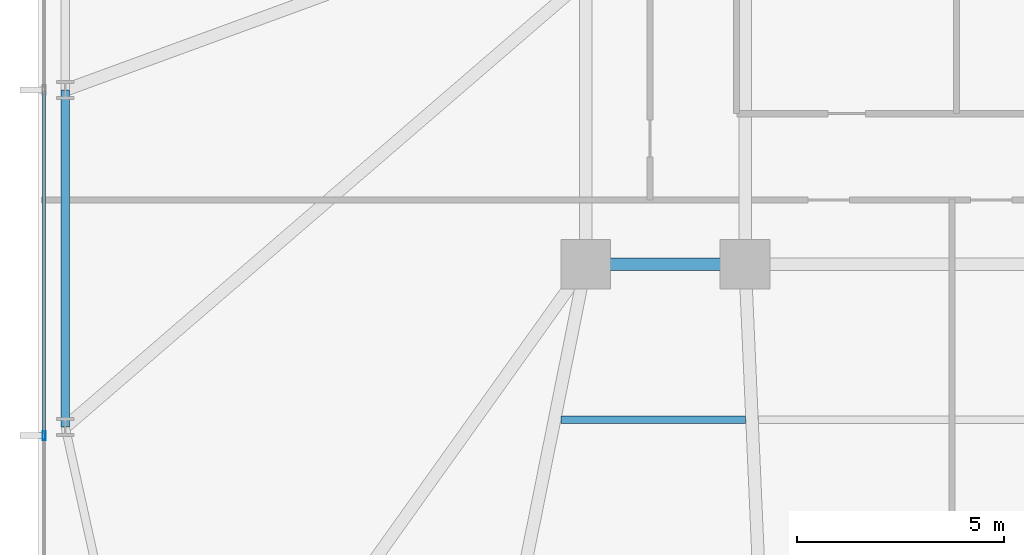
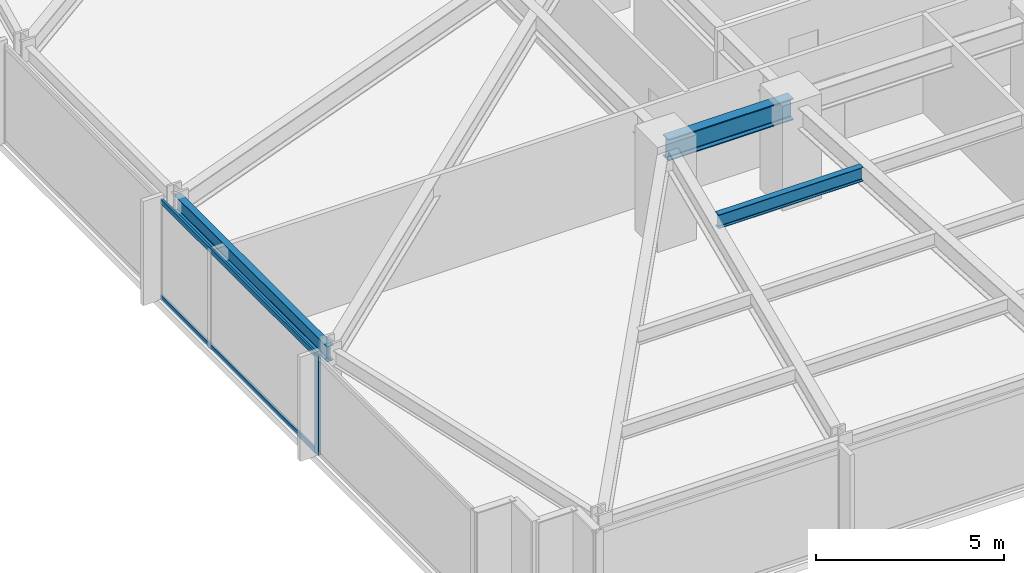
# One storey, part 4 of 32: 3 beams, 3 members, 1 element without a shape of its own.
"""IFC4 building model written with IfcOpenShell, lengths in metres."""

from ifc_helpers import new_model, si_unit, direction, frame, origin, origin_2d, place, context, subcontext, project, spatial, hollow_rectangle, i_section, extrude, material, material_profile, profile_set, type_object, element, aggregate, save


model = new_model("IFC4")

# Units and contexts
model_context = context("Model", 3, precision=1e-05, world=origin(), true_north=direction((0.0, 1.0)))
body_context = subcontext(model_context, "Body", "Model", "MODEL_VIEW")
ifc_project = project(units=[si_unit("LENGTHUNIT", "METRE"), si_unit("AREAUNIT", "SQUARE_METRE"), si_unit("VOLUMEUNIT", "CUBIC_METRE"), si_unit("PLANEANGLEUNIT", "RADIAN"), si_unit("MASSUNIT", "GRAM", prefix="KILO")], contexts=[model_context])

# Site, building, storey
site_placement = place(None, origin())
site = spatial("IfcSite", under=ifc_project, at=site_placement, CompositionType="ELEMENT")
building_placement = place(site_placement, origin())
building = spatial("IfcBuilding", under=site, at=building_placement, Name="Yelkora Congress Tower", CompositionType="ELEMENT")
storey_placement = place(building_placement, frame((0.0, 0.0, 57.60009765625)))
storey = spatial("IfcBuildingStorey", under=building, at=storey_placement, Name="L14", CompositionType="ELEMENT", Elevation=57.60009765625)

# Beams
ifc_material_1 = material(Name="Steel S355J2", Category="steel")
ifc_material_profile_1 = material_profile(ifc_material_1, i_section(OverallWidth=0.300048828125, OverallDepth=0.699951171875, WebThickness=0.01708984375, FlangeThickness=0.031982421875, FilletRadius=0.027099609375, at=origin_2d()), Name="HEB 700")
ifc_profile_set_1 = profile_set([ifc_material_profile_1], Name="Steel S355J2")
beam_type_1 = type_object("IfcBeamType", Name="BM-GIRD-HEB700", PredefinedType="BEAM", material=ifc_profile_set_1)
beam_1_placement = place(storey_placement, frame((19.199951171875, 25.199951171875, 2.829833984375), z_axis=(1.0, 0.0, 0.0), x_axis=(0.0, 1.0, 0.0)))
element("IfcBeam", 1, at=beam_1_placement, inside=storey, type_object=beam_type_1, Name="L14 Spine Grid D Girder 1", PredefinedType="BEAM", context=body_context, shape_type="SweptSolid", body=[
    extrude(i_section(OverallWidth=0.300048828125, OverallDepth=0.699951171875, WebThickness=0.01708984375, FlangeThickness=0.031982421875, FilletRadius=0.027099609375, at=origin_2d()), origin(), (0.0, 0.0, 1.0), 3.840087890625),
])
ifc_material_profile_2 = material_profile(ifc_material_1, i_section(OverallWidth=0.18994140625, OverallDepth=0.449951171875, WebThickness=0.009521484375, FlangeThickness=0.0146484375, FilletRadius=0.02099609375, at=origin_2d()), Name="IPE 450")
ifc_profile_set_2 = profile_set([ifc_material_profile_2], Name="Steel S355J2")
beam_type_2 = type_object("IfcBeamType", Name="BM-JOIST-IPE450", PredefinedType="JOIST", material=ifc_profile_set_2)
beam_2_placement = place(storey_placement, frame((18.60546875, 21.449951171875, 2.954833984375), z_axis=(1.0, 0.0, 0.0), x_axis=(0.0, 1.0, 0.0)))
element("IfcBeam", 2, at=beam_2_placement, inside=storey, type_object=beam_type_2, Name="L14 Composite Floor Joist 17", PredefinedType="JOIST", context=body_context, shape_type="SweptSolid", body=[
    extrude(i_section(OverallWidth=0.18994140625, OverallDepth=0.449951171875, WebThickness=0.009521484375, FlangeThickness=0.0146484375, FilletRadius=0.02099609375, at=origin_2d()), origin(), (0.0, 0.0, 1.0), 4.4404296875),
])
ifc_material_profile_3 = material_profile(ifc_material_1, i_section(OverallWidth=0.199951171875, OverallDepth=0.5, WebThickness=0.01025390625, FlangeThickness=0.01611328125, FilletRadius=0.02099609375, at=origin_2d()), Name="IPE 500")
ifc_profile_set_3 = profile_set([ifc_material_profile_3], Name="Steel S355J2")
beam_type_3 = type_object("IfcBeamType", Name="BM-SPAN-IPE500", PredefinedType="SPANDREL", material=ifc_profile_set_3)
beam_3_placement = place(storey_placement, frame((6.64990234375, 29.39990234375, 2.929931640625), z_axis=(0.0, -1.0, 0.0), x_axis=(1.0, 0.0, 0.0)))
element("IfcBeam", 3, at=beam_3_placement, inside=storey, type_object=beam_type_3, Name="L14 Perimeter Beam 19", PredefinedType="SPANDREL", context=body_context, shape_type="SweptSolid", body=[
    extrude(i_section(OverallWidth=0.199951171875, OverallDepth=0.5, WebThickness=0.01025390625, FlangeThickness=0.01611328125, FilletRadius=0.02099609375, at=origin_2d()), origin(), (0.0, 0.0, 1.0), 8.125),
])

# Curtain wall, members
ifc_material_2 = material(Name="Anodised aluminium and insulated glass", Category="aluminium")
curtain_wall_type = type_object("IfcCurtainWallType", Name="CW-SYS-B1", PredefinedType="NOTDEFINED", material=ifc_material_2)
curtain_wall_placement = place(storey_placement, origin())
curtain_wall = element("IfcCurtainWall", 4, at=curtain_wall_placement, inside=storey, type_object=curtain_wall_type, Name="L14 Unitised Curtain Wall 5", PredefinedType="NOTDEFINED")
ifc_material_3 = material(Name="Anodised aluminium 6063-T6", Category="aluminium")
ifc_material_profile_4 = material_profile(ifc_material_3, hollow_rectangle(XDim=0.074951171875, YDim=0.219970703125, WallThickness=0.0048828125, at=origin_2d()), Name="ALU 75x220x5")
ifc_profile_set_4 = profile_set([ifc_material_profile_4], Name="Anodised aluminium 6063-T6")
member_type_1 = type_object("IfcMemberType", Name="MEM-ML-B1", PredefinedType="MULLION", material=ifc_profile_set_4)
member_1_placement = place(storey_placement, frame((6.139892578125, 21.070068359375, 0.0), z_axis=(0.0, 0.0, 1.0), x_axis=(-1.0, 0.0, 0.0)))
member_1 = element("IfcMember", 5, at=member_1_placement, type_object=member_type_1, Name="CW-B1 mullion 2", PredefinedType="MULLION", context=body_context, shape_type="SweptSolid", body=[
    extrude(hollow_rectangle(XDim=0.074951171875, YDim=0.219970703125, WallThickness=0.0048828125, at=origin_2d()), origin(), (0.0, 0.0, 1.0), 3.179931640625),
])
ifc_material_profile_5 = material_profile(ifc_material_3, hollow_rectangle(XDim=0.06494140625, YDim=0.159912109375, WallThickness=0.00390625, at=origin_2d()), Name="ALU 65x160x4")
ifc_profile_set_5 = profile_set([ifc_material_profile_5], Name="Anodised aluminium 6063-T6")
member_type_2 = type_object("IfcMemberType", Name="MEM-TR-B1", PredefinedType="USERDEFINED", material=ifc_profile_set_5)
member_2_placement = place(storey_placement, frame((6.139892578125, 21.107421875, 0.032470703125), z_axis=(0.0, 1.0, 0.0), x_axis=(-1.0, 0.0, 0.0)))
member_2 = element("IfcMember", 6, at=member_2_placement, type_object=member_type_2, Name="CW-B1 transom 2.1", ObjectType="TRANSOM", PredefinedType="USERDEFINED", context=body_context, shape_type="SweptSolid", body=[
    extrude(hollow_rectangle(XDim=0.06494140625, YDim=0.159912109375, WallThickness=0.00390625, at=origin_2d()), origin(), (0.0, 0.0, 1.0), 8.255126953125),
])
member_3_placement = place(storey_placement, frame((6.139892578125, 21.107421875, 3.1474609375), z_axis=(0.0, 1.0, 0.0), x_axis=(-1.0, 0.0, 0.0)))
member_3 = element("IfcMember", 7, at=member_3_placement, type_object=member_type_2, Name="CW-B1 transom 2.2", ObjectType="TRANSOM", PredefinedType="USERDEFINED", context=body_context, shape_type="SweptSolid", body=[
    extrude(hollow_rectangle(XDim=0.06494140625, YDim=0.159912109375, WallThickness=0.00390625, at=origin_2d()), origin(), (0.0, 0.0, 1.0), 8.255126953125),
])
aggregate(curtain_wall, [member_1, member_2, member_3])

save(model, "model.ifc")
